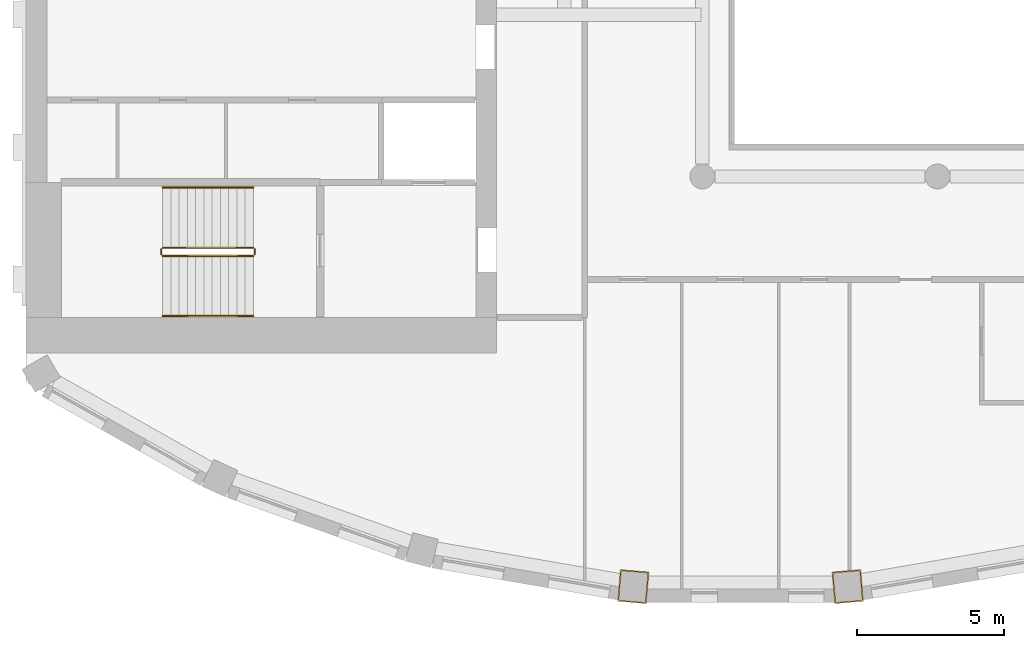
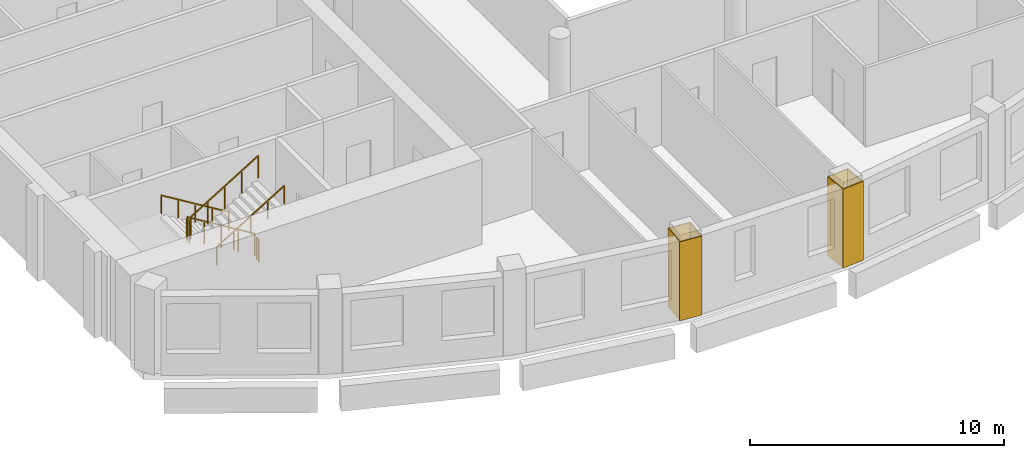
# One storey, part 10 of 14: 6 railings, 2 coverings.
"""IFC4 building model written with IfcOpenShell, lengths in metres."""

import ifcopenshell
import ifcopenshell.guid

model = None  # the IFC model being written
_history = None  # IfcOwnerHistory: only IFC2X3 demands one
_inside = {}  # id of a spatial element -> (the spatial element, [elements in it])
_under = {}  # id of a project, library or spatial element -> (it, [spatial elements below it])
_declared = {}  # id of a project -> (the project, [libraries it declares])
_typed = {}  # id of a type object -> (the type object, [elements of that type])
_made_of = {}  # id of a material, layer set ... -> (it, [elements and type objects made of it])


def new_model(schema):
    """Start an empty IFC model of exactly this schema.

    Asked for "IFC4X3", IfcOpenShell would pick the latest addendum, in which some entities
    have other attributes; the version numbers below select the first issue.
    IFC2X3 requires an IfcOwnerHistory on every rooted entity: one is made here for all.
    """
    global model, _history
    if schema == "IFC4X3":
        model = ifcopenshell.file(schema_version=(4, 3, 0, 0))
    else:
        model = ifcopenshell.file(schema=schema)
    _inside.clear()
    _under.clear()
    _declared.clear()
    _typed.clear()
    _made_of.clear()
    _history = None
    if model.schema == "IFC2X3":
        org = make("IfcOrganization", Name="unknown")
        user = make(
            "IfcPersonAndOrganization",
            ThePerson=make("IfcPerson", FamilyName="unknown"),
            TheOrganization=org,
        )
        app = make(
            "IfcApplication",
            ApplicationDeveloper=org,
            Version="unknown",
            ApplicationFullName="unknown",
            ApplicationIdentifier="unknown",
        )
        _history = make(
            "IfcOwnerHistory",
            OwningUser=user,
            OwningApplication=app,
            ChangeAction="ADDED",
            CreationDate=0,
        )
    return model


def make(cls, **values):
    """One entity of the class cls with the attributes given. An attribute that is None is left unset."""
    return model.create_entity(
        cls, **{name: value for name, value in values.items() if value is not None}
    )


def rooted(cls, **values):
    """An entity with a GlobalId (a new one), such as an element, a storey or a relation."""
    return make(cls, GlobalId=ifcopenshell.guid.new(), OwnerHistory=_history, **values)


def si_unit(unit_type, name, prefix=None):
    """IfcSIUnit, for example si_unit("LENGTHUNIT", "METRE", prefix="MILLI")."""
    return make("IfcSIUnit", UnitType=unit_type, Prefix=prefix, Name=name)


def assignment(units):
    """IfcUnitAssignment: the units of a project."""
    return None if units is None else make("IfcUnitAssignment", Units=units)


def point(xyz):
    """IfcCartesianPoint."""
    return None if xyz is None else make("IfcCartesianPoint", Coordinates=xyz)


def direction(xyz):
    """IfcDirection."""
    return None if xyz is None else make("IfcDirection", DirectionRatios=xyz)


def frame(location, z_axis=None, x_axis=None):
    """IfcAxis2Placement3D, a coordinate frame: its origin and axes. An axis left out is left unset."""
    return make(
        "IfcAxis2Placement3D",
        Location=point(location),
        Axis=direction(z_axis),
        RefDirection=direction(x_axis),
    )


def frame_2d(location, x_axis=None):
    """IfcAxis2Placement2D, a coordinate frame in the plane: its origin and x axis."""
    return make(
        "IfcAxis2Placement2D", Location=point(location), RefDirection=direction(x_axis)
    )


def origin():
    """The frame at (0, 0, 0) with its axes left unset."""
    return frame((0.0, 0.0, 0.0))


def origin_2d():
    """The frame at (0, 0) in the plane with its x axis left unset."""
    return frame_2d((0.0, 0.0))


def place(relative_to, where):
    """IfcLocalPlacement: puts the frame where relative to a parent placement (None: the world)."""
    return make(
        "IfcLocalPlacement", PlacementRelTo=relative_to, RelativePlacement=where
    )


def context(
    kind, dimensions, precision=None, world=None, true_north=None, identifier=None
):
    """IfcGeometricRepresentationContext, for example the 3D "Model" context."""
    return make(
        "IfcGeometricRepresentationContext",
        ContextIdentifier=identifier,
        ContextType=kind,
        CoordinateSpaceDimension=dimensions,
        Precision=precision,
        WorldCoordinateSystem=world,
        TrueNorth=true_north,
    )


def subcontext(parent, identifier, kind, view, scale=None):
    """IfcGeometricRepresentationSubContext, for example "Body" below "Model"."""
    return make(
        "IfcGeometricRepresentationSubContext",
        ContextIdentifier=identifier,
        ContextType=kind,
        ParentContext=parent,
        TargetScale=scale,
        TargetView=view,
    )


def project(units=None, contexts=None):
    """IfcProject with its units and contexts."""
    return rooted(
        "IfcProject",
        Name="project",
        RepresentationContexts=contexts,
        UnitsInContext=assignment(units),
    )


def spatial(cls, under=None, at=None, **own):
    """A site, building, storey or space (cls), placed at a placement, below another one or the project."""
    s = rooted(cls, ObjectPlacement=at, **own)
    if under is not None:
        _under.setdefault(under.id(), (under, []))[1].append(s)
    return s


def polyline(points):
    """IfcPolyline through the points."""
    return make("IfcPolyline", Points=[point(p) for p in points])


def profile(cls, at=None, kind="AREA", **sizes):
    """A parametric profile (cls). Its sizes go by their IFC names, for example OverallWidth=200.0."""
    return make(cls, ProfileType=kind, Position=at, **sizes)


def rectangle(**sizes):
    """IfcRectangleProfileDef."""
    return profile("IfcRectangleProfileDef", **sizes)


def outline(outer, holes=None, kind="AREA"):
    """IfcArbitraryClosedProfileDef: a profile drawn as a closed curve; with holes, ...WithVoids."""
    if holes is None:
        return make("IfcArbitraryClosedProfileDef", ProfileType=kind, OuterCurve=outer)
    return make(
        "IfcArbitraryProfileDefWithVoids",
        ProfileType=kind,
        OuterCurve=outer,
        InnerCurves=holes,
    )


def extrude(swept, where, along, depth):
    """IfcExtrudedAreaSolid: the profile swept, set in the frame where, extruded along a direction by depth."""
    return make(
        "IfcExtrudedAreaSolid",
        SweptArea=swept,
        Position=where,
        ExtrudedDirection=direction(along),
        Depth=depth,
    )


def shape(context_of_items, identifier, shape_type, items):
    """IfcShapeRepresentation: the items that make up one representation, for example the "Body"."""
    return make(
        "IfcShapeRepresentation",
        ContextOfItems=context_of_items,
        RepresentationIdentifier=identifier,
        RepresentationType=shape_type,
        Items=items,
    )


def material(Name=None, Category=None):
    """IfcMaterial."""
    return make("IfcMaterial", Name=Name, Category=Category)


def layer(
    of_material, thickness, ventilated=None, Name=None, Category=None, Priority=None
):
    """IfcMaterialLayer: one layer of a wall or slab, of a material (None: an air gap)."""
    return make(
        "IfcMaterialLayer",
        Material=of_material,
        LayerThickness=thickness,
        IsVentilated=ventilated,
        Name=Name,
        Category=Category,
        Priority=Priority,
    )


def layer_set(layers, Name=None):
    """IfcMaterialLayerSet."""
    return make("IfcMaterialLayerSet", MaterialLayers=layers, LayerSetName=Name)


def made_of(thing, what):
    """Note that an element or type object is made of a material, layer set ...; save() writes the relation."""
    if what is not None:
        _made_of.setdefault(what.id(), (what, []))[1].append(thing)
    return thing


def type_object(cls, material=None, **own):
    """A type object (cls), such as IfcWallType, which elements share."""
    return made_of(rooted(cls, **own), material)


def element(
    cls,
    number,
    at=None,
    inside=None,
    cuts=None,
    type_object=None,
    material=None,
    context=None,
    identifier="Body",
    shape_type=None,
    held_by="IfcProductDefinitionShape",
    body=None,
    shapes=None,
    **own,
):
    """One element of the class cls, such as IfcWall. Its Tag is "e" and its number.

    at: its placement. inside: the storey or other place that contains it. cuts: it is an
    opening in that element (IfcRelVoidsElement). A single representation is given by context,
    identifier, shape_type and body (its items); several are given by shapes. held_by: the class
    of the entity that holds the representations. save() writes the other relations.
    """
    e = rooted(cls, Tag="e%d" % number, ObjectPlacement=at, **own)
    if body is not None:
        shapes = [shape(context, identifier, shape_type, body)]
    if shapes is not None:
        e.Representation = make(held_by, Representations=shapes)
    if inside is not None:
        _inside.setdefault(inside.id(), (inside, []))[1].append(e)
    if cuts is not None:
        rooted(
            "IfcRelVoidsElement", RelatingBuildingElement=cuts, RelatedOpeningElement=e
        )
    if type_object is not None:
        _typed.setdefault(type_object.id(), (type_object, []))[1].append(e)
    return made_of(e, material)


def aggregate(whole, parts):
    """IfcRelAggregates: a whole, such as a stair, and the parts it consists of."""
    return rooted("IfcRelAggregates", RelatingObject=whole, RelatedObjects=parts)


def save(model, path):
    """Write the relations noted so far, then the file.

    IfcRelAggregates (storeys below a building ...), IfcRelContainedInSpatialStructure (elements
    in a storey), IfcRelDefinesByType, IfcRelAssociatesMaterial and IfcRelDeclares: one each for
    every whole, place, type object, material and project.
    """
    for whole, parts in _under.values():
        aggregate(whole, parts)
    for where, things in _inside.values():
        rooted(
            "IfcRelContainedInSpatialStructure",
            RelatedElements=things,
            RelatingStructure=where,
        )
    for kind, things in _typed.values():
        rooted("IfcRelDefinesByType", RelatedObjects=things, RelatingType=kind)
    for what, things in _made_of.values():
        rooted("IfcRelAssociatesMaterial", RelatedObjects=things, RelatingMaterial=what)
    for by, libraries in _declared.values():
        rooted("IfcRelDeclares", RelatingContext=by, RelatedDefinitions=libraries)
    model.write(path)


model = new_model("IFC4")

# Units and contexts
model_context = context("Model", 3, precision=1e-05, world=origin(), true_north=direction((0.0, 1.0)))
body_context = subcontext(model_context, "Body", "Model", "MODEL_VIEW")
ifc_project = project(units=[si_unit("LENGTHUNIT", "METRE"), si_unit("AREAUNIT", "SQUARE_METRE"), si_unit("VOLUMEUNIT", "CUBIC_METRE"), si_unit("PLANEANGLEUNIT", "RADIAN"), si_unit("MASSUNIT", "GRAM", prefix="KILO")], contexts=[model_context])

# Site, building, storey
site_placement = place(None, origin())
site = spatial("IfcSite", under=ifc_project, at=site_placement, CompositionType="ELEMENT")
building_placement = place(site_placement, origin())
building = spatial("IfcBuilding", under=site, at=building_placement, Name="Cypress Arch Tower", CompositionType="ELEMENT")
storey_placement = place(building_placement, frame((0.0, 0.0, 263.89990234375)))
storey = spatial("IfcBuildingStorey", under=building, at=storey_placement, Name="L59", CompositionType="ELEMENT", Elevation=263.89990234375)

# Coverings
ifc_material_1 = material(Name="Painted plasterboard column casing")
ifc_layer = layer(ifc_material_1, 0.0400390625)
ifc_layer_set = layer_set([ifc_layer], Name="Column casing CK40")
covering_type = type_object("IfcCoveringType", Name="Column casing CK40", PredefinedType="CLADDING", material=ifc_layer_set)
covering_1_placement = place(storey_placement, origin())
element("IfcCovering", 1, at=covering_1_placement, inside=storey, type_object=covering_type, Name="Column casing L59 CC14", PredefinedType="CLADDING", context=body_context, shape_type="SweptSolid", body=[
    extrude(outline(polyline([(-9.881103515625, -24.44970703125), (-9.789306640625, -23.373779296875), (-8.812744140625, -23.457275390625), (-8.90478515625, -24.533203125), (-9.881103515625, -24.44970703125)]), holes=[polyline([(-9.837890625, -24.413330078125), (-8.941162109375, -24.489990234375), (-8.85595703125, -23.49365234375), (-9.752685546875, -23.4169921875), (-9.837890625, -24.413330078125)])]), origin(), (0.0, 0.0, 1.0), 3.800048828125),
])
covering_2_placement = place(storey_placement, origin())
element("IfcCovering", 2, at=covering_2_placement, inside=storey, type_object=covering_type, Name="Column casing L59 CC15", PredefinedType="CLADDING", context=body_context, shape_type="SweptSolid", body=[
    extrude(outline(polyline([(-2.495361328125, -24.533203125), (-2.587158203125, -23.457275390625), (-1.61083984375, -23.373779296875), (-1.518798828125, -24.44970703125), (-2.495361328125, -24.533203125)]), holes=[polyline([(-2.458740234375, -24.489990234375), (-1.56201171875, -24.413330078125), (-1.647216796875, -23.4169921875), (-2.5439453125, -23.49365234375), (-2.458740234375, -24.489990234375)])]), origin(), (0.0, 0.0, 1.0), 3.800048828125),
])

# Railings
ifc_material_2 = material(Name="Black powder-coated steel square bar 48 mm", Category="steel")
railing_type_1 = type_object("IfcRailingType", Name="Stair handrail HR1", PredefinedType="HANDRAIL", material=ifc_material_2)
railing_1_placement = place(storey_placement, frame((-22.27490234375, -10.375, 0.1708984375)))
element("IfcRailing", 3, at=railing_1_placement, inside=storey, type_object=railing_type_1, Name="L59 A stair handrail 1", PredefinedType="HANDRAIL", context=body_context, shape_type="SweptSolid", body=[
    extrude(rectangle(XDim=0.048095703125, YDim=0.048095703125, at=origin_2d()), frame((0.0, 0.0, 0.8759765625), z_axis=(-0.853666305674, 0.0, 0.52082035152), x_axis=(0.0, -1.0, 0.0)), (0.0, 0.0, 1.0), 3.608154296875),
    extrude(rectangle(XDim=0.0419921875, YDim=0.0419921875, at=origin_2d()), origin(), (0.0, 0.0, 1.0), 0.851806640625),
    extrude(rectangle(XDim=0.0419921875, YDim=0.0419921875, at=origin_2d()), frame((-0.77001953125, 0.0, 0.4697265625)), (0.0, 0.0, 1.0), 0.851806640625),
    extrude(rectangle(XDim=0.0419921875, YDim=0.0419921875, at=origin_2d()), frame((-1.5400390625, 0.0, 0.939453125)), (0.0, 0.0, 1.0), 0.851806640625),
    extrude(rectangle(XDim=0.0419921875, YDim=0.0419921875, at=origin_2d()), frame((-2.31005859375, 0.0, 1.409423828125)), (0.0, 0.0, 1.0), 0.851806640625),
    extrude(rectangle(XDim=0.0419921875, YDim=0.0419921875, at=origin_2d()), frame((-3.080078125, 0.0, 1.879150390625)), (0.0, 0.0, 1.0), 0.851806640625),
])
railing_2_placement = place(storey_placement, frame((-25.35498046875, -14.75, 2.220947265625)))
element("IfcRailing", 4, at=railing_2_placement, inside=storey, type_object=railing_type_1, Name="L59 A stair handrail 2", PredefinedType="HANDRAIL", context=body_context, shape_type="SweptSolid", body=[
    extrude(rectangle(XDim=0.048095703125, YDim=0.048095703125, at=origin_2d()), frame((0.0, 0.0, 0.8759765625), z_axis=(0.853666305674, 0.0, 0.52082035152), x_axis=(0.0, 1.0, 0.0)), (0.0, 0.0, 1.0), 3.608154296875),
    extrude(rectangle(XDim=0.0419921875, YDim=0.0419921875, at=origin_2d()), origin(), (0.0, 0.0, 1.0), 0.851806640625),
    extrude(rectangle(XDim=0.0419921875, YDim=0.0419921875, at=origin_2d()), frame((0.77001953125, 0.0, 0.4697265625)), (0.0, 0.0, 1.0), 0.851806640625),
    extrude(rectangle(XDim=0.0419921875, YDim=0.0419921875, at=origin_2d()), frame((1.5400390625, 0.0, 0.939453125)), (0.0, 0.0, 1.0), 0.851806640625),
    extrude(rectangle(XDim=0.0419921875, YDim=0.0419921875, at=origin_2d()), frame((2.31005859375, 0.0, 1.409423828125)), (0.0, 0.0, 1.0), 0.851806640625),
    extrude(rectangle(XDim=0.0419921875, YDim=0.0419921875, at=origin_2d()), frame((3.080078125, 0.0, 1.879150390625)), (0.0, 0.0, 1.0), 0.851806640625),
])
ifc_material_3 = material(Name="Black powder-coated steel balusters", Category="steel")
railing_type_2 = type_object("IfcRailingType", Name="Stair well guard G1", PredefinedType="GUARDRAIL", material=ifc_material_3)
railing_3_placement = place(storey_placement, frame((-22.27490234375, -12.425048828125, 0.1708984375)))
element("IfcRailing", 5, at=railing_3_placement, inside=storey, type_object=railing_type_2, Name="L59 A stair guard 1", PredefinedType="GUARDRAIL", context=body_context, shape_type="SweptSolid", body=[
    extrude(rectangle(XDim=0.048095703125, YDim=0.048095703125, at=origin_2d()), frame((0.0, 0.0, 1.076171875), z_axis=(-0.853666305674, 0.0, 0.52082035152), x_axis=(0.0, -1.0, 0.0)), (0.0, 0.0, 1.0), 3.608154296875),
    extrude(rectangle(XDim=0.0419921875, YDim=0.0419921875, at=origin_2d()), origin(), (0.0, 0.0, 1.0), 1.052001953125),
    extrude(rectangle(XDim=0.0419921875, YDim=0.0419921875, at=origin_2d()), frame((-0.77001953125, 0.0, 0.4697265625)), (0.0, 0.0, 1.0), 1.052001953125),
    extrude(rectangle(XDim=0.0419921875, YDim=0.0419921875, at=origin_2d()), frame((-1.5400390625, 0.0, 0.939453125)), (0.0, 0.0, 1.0), 1.052001953125),
    extrude(rectangle(XDim=0.0419921875, YDim=0.0419921875, at=origin_2d()), frame((-2.31005859375, 0.0, 1.409423828125)), (0.0, 0.0, 1.0), 1.052001953125),
    extrude(rectangle(XDim=0.0419921875, YDim=0.0419921875, at=origin_2d()), frame((-3.080078125, 0.0, 1.879150390625)), (0.0, 0.0, 1.0), 1.052001953125),
])
railing_4_placement = place(storey_placement, frame((-25.405029296875, -12.47509765625, 2.050048828125)))
element("IfcRailing", 6, at=railing_4_placement, inside=storey, type_object=railing_type_2, Name="L59 A stair guard 2", PredefinedType="GUARDRAIL", context=body_context, shape_type="SweptSolid", body=[
    extrude(rectangle(XDim=0.048095703125, YDim=0.048095703125, at=origin_2d()), frame((0.0, 0.0, 1.076171875), z_axis=(0.0, -1.0, 0.0), x_axis=(1.0, 0.0, 0.0)), (0.0, 0.0, 1.0), 0.1748046875),
    extrude(rectangle(XDim=0.0419921875, YDim=0.0419921875, at=origin_2d()), origin(), (0.0, 0.0, 1.0), 1.052001953125),
    extrude(rectangle(XDim=0.0419921875, YDim=0.0419921875, at=origin_2d()), frame((0.0, -0.1748046875, 0.0)), (0.0, 0.0, 1.0), 1.052001953125),
])
railing_5_placement = place(storey_placement, frame((-25.35498046875, -12.699951171875, 2.220947265625)))
element("IfcRailing", 7, at=railing_5_placement, inside=storey, type_object=railing_type_2, Name="L59 A stair guard 3", PredefinedType="GUARDRAIL", context=body_context, shape_type="SweptSolid", body=[
    extrude(rectangle(XDim=0.048095703125, YDim=0.048095703125, at=origin_2d()), frame((0.0, 0.0, 1.076171875), z_axis=(0.853666305674, 0.0, 0.52082035152), x_axis=(0.0, 1.0, 0.0)), (0.0, 0.0, 1.0), 3.608154296875),
    extrude(rectangle(XDim=0.0419921875, YDim=0.0419921875, at=origin_2d()), origin(), (0.0, 0.0, 1.0), 1.052001953125),
    extrude(rectangle(XDim=0.0419921875, YDim=0.0419921875, at=origin_2d()), frame((0.77001953125, 0.0, 0.4697265625)), (0.0, 0.0, 1.0), 1.052001953125),
    extrude(rectangle(XDim=0.0419921875, YDim=0.0419921875, at=origin_2d()), frame((1.5400390625, 0.0, 0.939453125)), (0.0, 0.0, 1.0), 1.052001953125),
    extrude(rectangle(XDim=0.0419921875, YDim=0.0419921875, at=origin_2d()), frame((2.31005859375, 0.0, 1.409423828125)), (0.0, 0.0, 1.0), 1.052001953125),
    extrude(rectangle(XDim=0.0419921875, YDim=0.0419921875, at=origin_2d()), frame((3.080078125, 0.0, 1.879150390625)), (0.0, 0.0, 1.0), 1.052001953125),
])
railing_6_placement = place(storey_placement, frame((-22.22509765625, -12.47509765625, 0.0)))
element("IfcRailing", 8, at=railing_6_placement, inside=storey, type_object=railing_type_2, Name="L59 A stair guard 4", PredefinedType="GUARDRAIL", context=body_context, shape_type="SweptSolid", body=[
    extrude(rectangle(XDim=0.048095703125, YDim=0.048095703125, at=origin_2d()), frame((0.0, 0.0, 1.076171875), z_axis=(0.0, -1.0, 0.0), x_axis=(1.0, 0.0, 0.0)), (0.0, 0.0, 1.0), 0.1748046875),
    extrude(rectangle(XDim=0.0419921875, YDim=0.0419921875, at=origin_2d()), origin(), (0.0, 0.0, 1.0), 1.052001953125),
    extrude(rectangle(XDim=0.0419921875, YDim=0.0419921875, at=origin_2d()), frame((0.0, -0.1748046875, 0.0)), (0.0, 0.0, 1.0), 1.052001953125),
])

save(model, "model.ifc")
